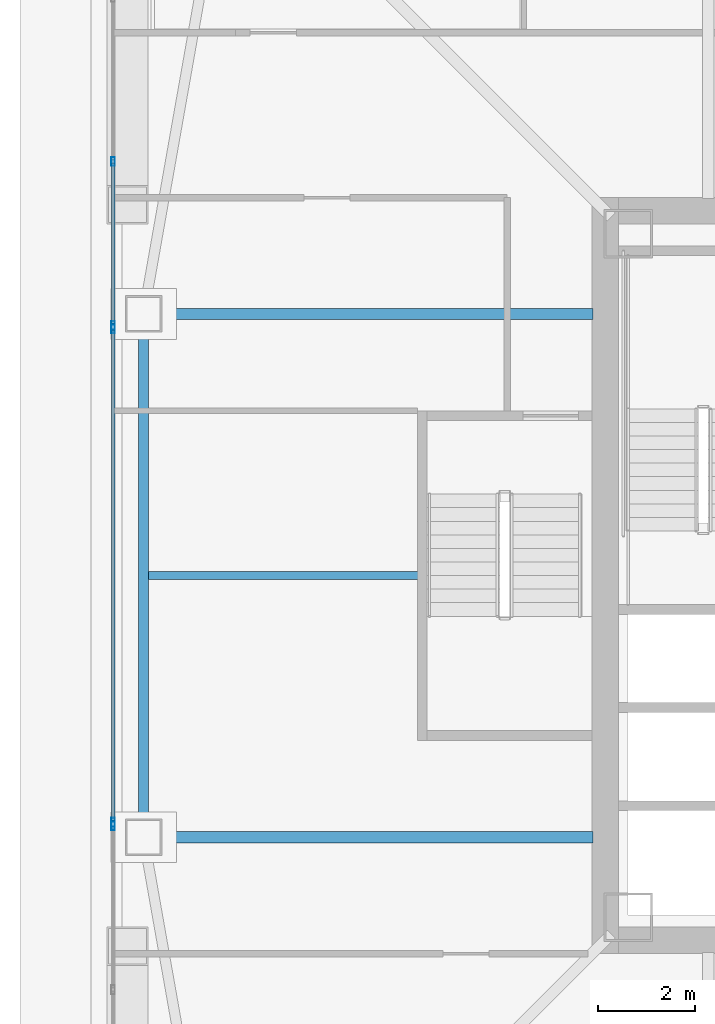
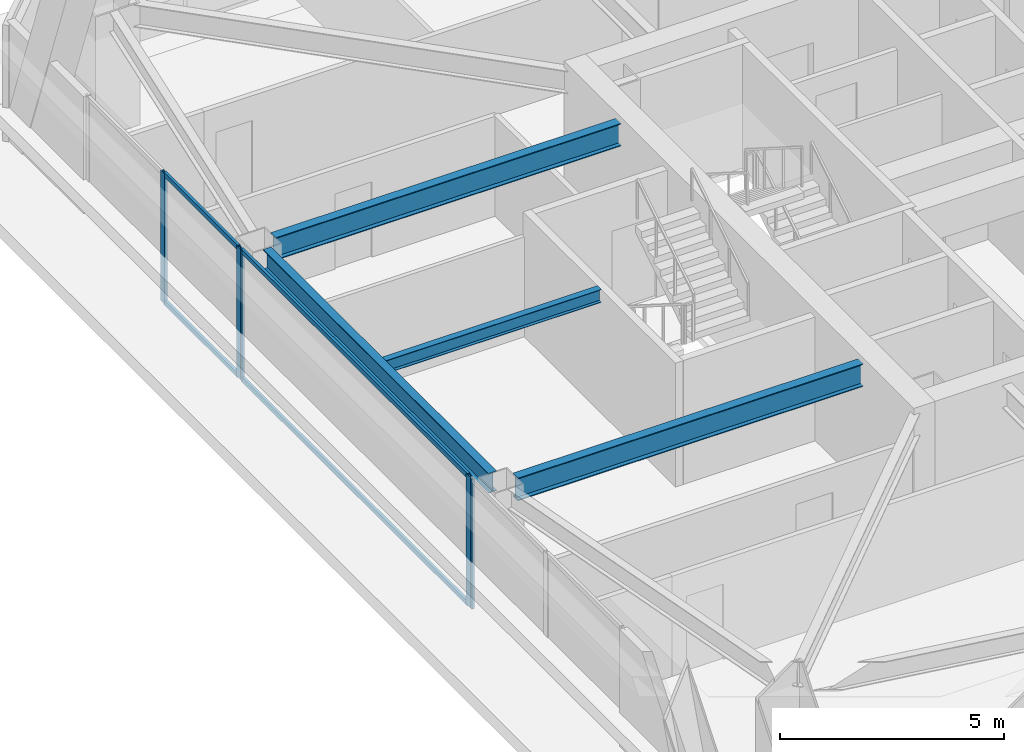
# One storey, part 13 of 65: 9 members, 4 beams, 3 elements without a shape of their own.
"""IFC4 building model written with IfcOpenShell, lengths in metres."""

from ifc_helpers import new_model, si_unit, direction, frame, origin, origin_2d, place, context, subcontext, project, spatial, hollow_rectangle, i_section, extrude, material, material_profile, profile_set, type_object, element, aggregate, save


model = new_model("IFC4")

# Units and contexts
model_context = context("Model", 3, precision=1e-05, world=origin(), true_north=direction((0.0, 1.0)))
body_context = subcontext(model_context, "Body", "Model", "MODEL_VIEW")
ifc_project = project(units=[si_unit("LENGTHUNIT", "METRE"), si_unit("AREAUNIT", "SQUARE_METRE"), si_unit("VOLUMEUNIT", "CUBIC_METRE"), si_unit("PLANEANGLEUNIT", "RADIAN"), si_unit("MASSUNIT", "GRAM", prefix="KILO")], contexts=[model_context])

# Site, building, storey
site_placement = place(None, origin())
site = spatial("IfcSite", under=ifc_project, at=site_placement, CompositionType="ELEMENT")
building_placement = place(site_placement, origin())
building = spatial("IfcBuilding", under=site, at=building_placement, Name="Tashvorn Skyway Center", CompositionType="ELEMENT")
storey_placement = place(building_placement, frame((0.0, 0.0, 157.0)))
storey = spatial("IfcBuildingStorey", under=building, at=storey_placement, Name="L42", CompositionType="ELEMENT", Elevation=157.0)

# Beams
ifc_material_1 = material(Name="Steel ASTM A992 Grade 50", Category="steel")
ifc_material_profile_1 = material_profile(ifc_material_1, i_section(OverallWidth=0.22998046875, OverallDepth=0.616943359375, WebThickness=0.01318359375, FlangeThickness=0.022216796875, at=origin_2d()), Name="W24X94")
ifc_profile_set_1 = profile_set([ifc_material_profile_1], Name="Steel ASTM A992 Grade 50")
beam_type_1 = type_object("IfcBeamType", Name="BM-BEAM-W24X94", PredefinedType="BEAM", material=ifc_profile_set_1)
for number, where, z_axis, x_axis, name in (
    (1, (25.320068359375, 37.39990234375, 3.0615234375), (1.0, 0.0, 0.0), (0.0, 1.0, 0.0), "Tower 1 L42 Primary Floor Girder FC-W1"),
    (2, (25.320068359375, 26.60009765625, 3.0615234375), (1.0, 0.0, 0.0), (0.0, 1.0, 0.0), "Tower 1 L42 Primary Floor Girder FC-W2"),
):
    element("IfcBeam", number, at=place(storey_placement, frame(where, z_axis=z_axis, x_axis=x_axis)), inside=storey, type_object=beam_type_1, Name=name, PredefinedType="BEAM", context=body_context, shape_type="SweptSolid", body=[
        extrude(i_section(OverallWidth=0.22998046875, OverallDepth=0.616943359375, WebThickness=0.01318359375, FlangeThickness=0.022216796875, at=origin_2d()), origin(), (0.0, 0.0, 1.0), 8.89990234375),
    ])
ifc_material_profile_2 = material_profile(ifc_material_1, i_section(OverallWidth=0.1708984375, OverallDepth=0.35498046875, WebThickness=0.007080078125, FlangeThickness=0.01171875, at=origin_2d()), Name="W14X34")
ifc_profile_set_2 = profile_set([ifc_material_profile_2], Name="Steel ASTM A992 Grade 50")
beam_type_2 = type_object("IfcBeamType", Name="BM-JOIST-W14X34", PredefinedType="JOIST", material=ifc_profile_set_2)
beam_1_placement = place(storey_placement, frame((30.610107421875, 32.0, 3.1923828125), z_axis=(-1.0, 0.0, 0.0), x_axis=(0.0, -1.0, 0.0)))
element("IfcBeam", 3, at=beam_1_placement, inside=storey, type_object=beam_type_2, Name="Tower 1 L42 Secondary Composite Joist JW", PredefinedType="JOIST", context=body_context, shape_type="SweptSolid", body=[
    extrude(i_section(OverallWidth=0.1708984375, OverallDepth=0.35498046875, WebThickness=0.007080078125, FlangeThickness=0.01171875, at=origin_2d()), origin(), (0.0, 0.0, 1.0), 5.5625),
])
ifc_material_profile_3 = material_profile(ifc_material_1, i_section(OverallWidth=0.2109375, OverallDepth=0.5390625, WebThickness=0.01171875, FlangeThickness=0.018798828125, at=origin_2d()), Name="W21X73")
ifc_profile_set_3 = profile_set([ifc_material_profile_3], Name="Steel ASTM A992 Grade 50")
beam_type_3 = type_object("IfcBeamType", Name="BM-SPANDREL-W21X73", PredefinedType="SPANDREL", material=ifc_profile_set_3)
beam_2_placement = place(storey_placement, frame((24.949951171875, 37.030029296875, 3.1005859375), z_axis=(0.0, -1.0, 0.0), x_axis=(1.0, 0.0, 0.0)))
element("IfcBeam", 4, at=beam_2_placement, inside=storey, type_object=beam_type_3, Name="Tower 1 L42 Spandrel Beam 11", PredefinedType="SPANDREL", context=body_context, shape_type="SweptSolid", body=[
    extrude(i_section(OverallWidth=0.2109375, OverallDepth=0.5390625, WebThickness=0.01171875, FlangeThickness=0.018798828125, at=origin_2d()), origin(), (0.0, 0.0, 1.0), 10.06005859375),
])

# Curtain wall, member
ifc_material_2 = material(Name="Thermally broken bronze-anodized aluminium 6063-T6", Category="aluminium")
curtain_wall_type = type_object("IfcCurtainWallType", Name="CW-CW-Z4", PredefinedType="NOTDEFINED", material=ifc_material_2)
curtain_wall_1_placement = place(storey_placement, origin())
curtain_wall_1 = element("IfcCurtainWall", 5, at=curtain_wall_1_placement, inside=storey, type_object=curtain_wall_type, Name="Tower 1 L42 West Unitised Curtain Wall Glazing Group 1", PredefinedType="NOTDEFINED")
ifc_material_profile_4 = material_profile(ifc_material_2, hollow_rectangle(XDim=0.070068359375, YDim=0.179931640625, WallThickness=0.00390625, at=origin_2d()), Name="ALU-MULL-70x180")
ifc_profile_set_4 = profile_set([ifc_material_profile_4], Name="Thermally broken bronze-anodized aluminium 6063-T6")
member_type_1 = type_object("IfcMemberType", Name="CWM-CW-Z4", PredefinedType="MULLION", material=ifc_profile_set_4)
member_1_placement = place(storey_placement, frame((24.320068359375, 26.83837890625, 0.0), z_axis=(0.0, 0.0, 1.0), x_axis=(-1.0, 0.0, 0.0)))
member_1 = element("IfcMember", 6, at=member_1_placement, type_object=member_type_1, Name="CW-Z4 mullion 3", PredefinedType="MULLION", context=body_context, shape_type="SweptSolid", body=[
    extrude(hollow_rectangle(XDim=0.070068359375, YDim=0.179931640625, WallThickness=0.00390625, at=origin_2d()), origin(), (0.0, 0.0, 1.0), 3.550048828125),
])
aggregate(curtain_wall_1, [member_1])

# Curtain wall, members
curtain_wall_2_placement = place(storey_placement, origin())
curtain_wall_2 = element("IfcCurtainWall", 7, at=curtain_wall_2_placement, inside=storey, type_object=curtain_wall_type, Name="Tower 1 L42 West Unitised Curtain Wall Glazing Group 2", PredefinedType="NOTDEFINED")
member_2_placement = place(storey_placement, frame((24.320068359375, 26.908203125, 0.0), z_axis=(0.0, 0.0, 1.0), x_axis=(-1.0, 0.0, 0.0)))
member_2 = element("IfcMember", 8, at=member_2_placement, type_object=member_type_1, Name="CW-Z4 mullion 1", PredefinedType="MULLION", context=body_context, shape_type="SweptSolid", body=[
    extrude(hollow_rectangle(XDim=0.070068359375, YDim=0.179931640625, WallThickness=0.00390625, at=origin_2d()), origin(), (0.0, 0.0, 1.0), 3.550048828125),
])
member_3_placement = place(storey_placement, frame((24.320068359375, 37.091796875, 0.0), z_axis=(0.0, 0.0, 1.0), x_axis=(-1.0, 0.0, 0.0)))
member_3 = element("IfcMember", 9, at=member_3_placement, type_object=member_type_1, Name="CW-Z4 mullion 2", PredefinedType="MULLION", context=body_context, shape_type="SweptSolid", body=[
    extrude(hollow_rectangle(XDim=0.070068359375, YDim=0.179931640625, WallThickness=0.00390625, at=origin_2d()), origin(), (0.0, 0.0, 1.0), 3.550048828125),
])

curtain_wall_3_placement = place(storey_placement, origin())
curtain_wall_3 = element("IfcCurtainWall", 10, at=curtain_wall_3_placement, inside=storey, type_object=curtain_wall_type, Name="Tower 1 L42 West Unitised Curtain Wall Glazing Group 3", PredefinedType="NOTDEFINED")
member_4_placement = place(storey_placement, frame((24.320068359375, 37.16162109375, 0.0), z_axis=(0.0, 0.0, 1.0), x_axis=(-1.0, 0.0, 0.0)))
member_4 = element("IfcMember", 11, at=member_4_placement, type_object=member_type_1, Name="CW-Z4 mullion 1", PredefinedType="MULLION", context=body_context, shape_type="SweptSolid", body=[
    extrude(hollow_rectangle(XDim=0.070068359375, YDim=0.179931640625, WallThickness=0.00390625, at=origin_2d()), origin(), (0.0, 0.0, 1.0), 3.550048828125),
])
member_5_placement = place(storey_placement, frame((24.320068359375, 40.54443359375, 0.0), z_axis=(0.0, 0.0, 1.0), x_axis=(-1.0, 0.0, 0.0)))
member_5 = element("IfcMember", 12, at=member_5_placement, type_object=member_type_1, Name="CW-Z4 mullion 2", PredefinedType="MULLION", context=body_context, shape_type="SweptSolid", body=[
    extrude(hollow_rectangle(XDim=0.070068359375, YDim=0.179931640625, WallThickness=0.00390625, at=origin_2d()), origin(), (0.0, 0.0, 1.0), 3.550048828125),
])

# Member
ifc_material_profile_5 = material_profile(ifc_material_2, hollow_rectangle(XDim=0.070068359375, YDim=0.1298828125, WallThickness=0.00390625, at=origin_2d()), Name="ALU-TRAN-70x130")
ifc_profile_set_5 = profile_set([ifc_material_profile_5], Name="Thermally broken bronze-anodized aluminium 6063-T6")
member_type_2 = type_object("IfcMemberType", Name="CWT-CW-Z4", PredefinedType="USERDEFINED", material=ifc_profile_set_5)
member_6_placement = place(storey_placement, frame((24.320068359375, 26.943359375, 0.034912109375), z_axis=(0.0, 1.0, 0.0), x_axis=(-1.0, 0.0, 0.0)))
member_6 = element("IfcMember", 13, at=member_6_placement, type_object=member_type_2, Name="CW-Z4 transom 1.1", ObjectType="TRANSOM", PredefinedType="USERDEFINED", context=body_context, shape_type="SweptSolid", body=[
    extrude(hollow_rectangle(XDim=0.070068359375, YDim=0.1298828125, WallThickness=0.00390625, at=origin_2d()), origin(), (0.0, 0.0, 1.0), 10.11328125),
])

member_7_placement = place(storey_placement, frame((24.320068359375, 26.943359375, 3.514892578125), z_axis=(0.0, 1.0, 0.0), x_axis=(-1.0, 0.0, 0.0)))
member_7 = element("IfcMember", 14, at=member_7_placement, type_object=member_type_2, Name="CW-Z4 transom 1.2", ObjectType="TRANSOM", PredefinedType="USERDEFINED", context=body_context, shape_type="SweptSolid", body=[
    extrude(hollow_rectangle(XDim=0.070068359375, YDim=0.1298828125, WallThickness=0.00390625, at=origin_2d()), origin(), (0.0, 0.0, 1.0), 10.11328125),
])

aggregate(curtain_wall_2, [member_2, member_3, member_6, member_7])

member_8_placement = place(storey_placement, frame((24.320068359375, 37.19677734375, 0.034912109375), z_axis=(0.0, 1.0, 0.0), x_axis=(-1.0, 0.0, 0.0)))
member_8 = element("IfcMember", 15, at=member_8_placement, type_object=member_type_2, Name="CW-Z4 transom 1.1", ObjectType="TRANSOM", PredefinedType="USERDEFINED", context=body_context, shape_type="SweptSolid", body=[
    extrude(hollow_rectangle(XDim=0.070068359375, YDim=0.1298828125, WallThickness=0.00390625, at=origin_2d()), origin(), (0.0, 0.0, 1.0), 3.312744140625),
])

member_9_placement = place(storey_placement, frame((24.320068359375, 37.19677734375, 3.514892578125), z_axis=(0.0, 1.0, 0.0), x_axis=(-1.0, 0.0, 0.0)))
member_9 = element("IfcMember", 16, at=member_9_placement, type_object=member_type_2, Name="CW-Z4 transom 1.2", ObjectType="TRANSOM", PredefinedType="USERDEFINED", context=body_context, shape_type="SweptSolid", body=[
    extrude(hollow_rectangle(XDim=0.070068359375, YDim=0.1298828125, WallThickness=0.00390625, at=origin_2d()), origin(), (0.0, 0.0, 1.0), 3.312744140625),
])

aggregate(curtain_wall_3, [member_4, member_5, member_8, member_9])

save(model, "model.ifc")
